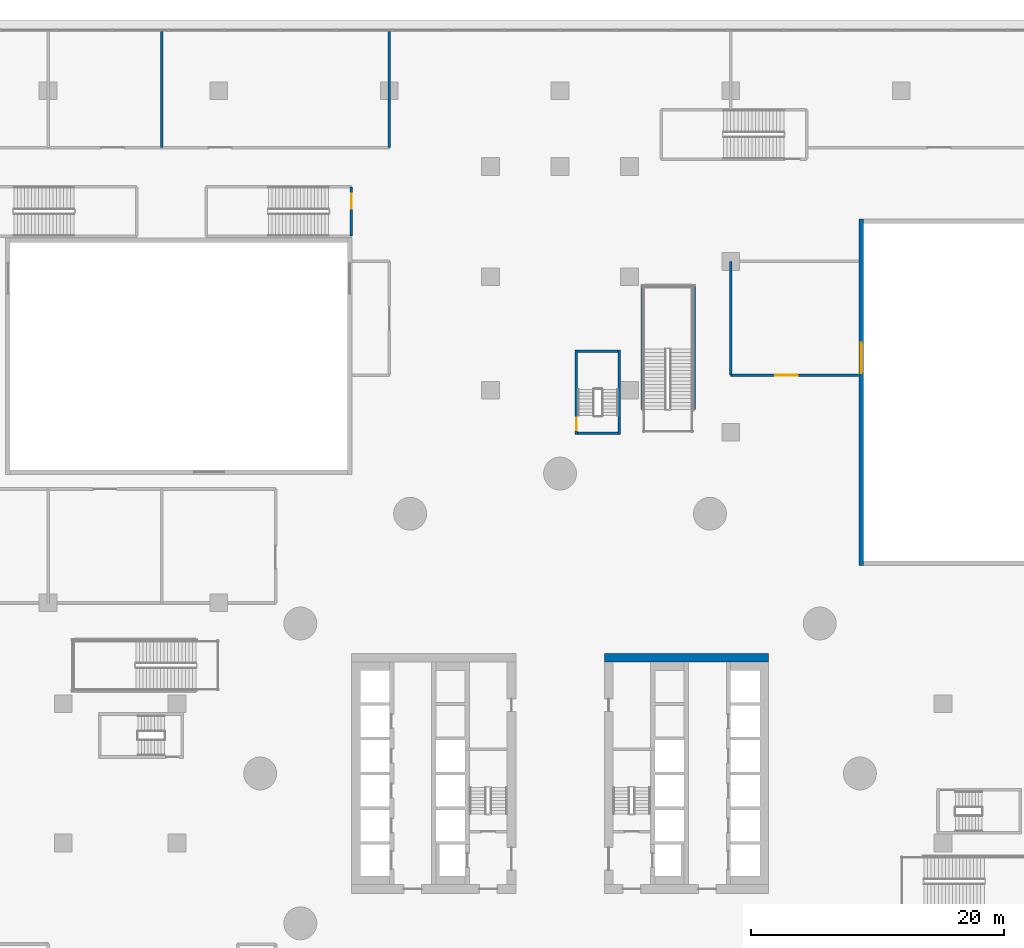
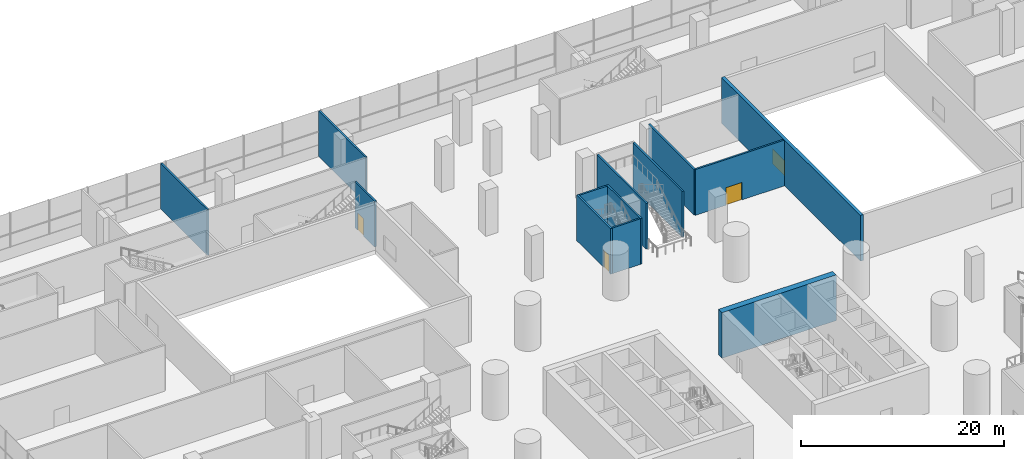
# One storey, part 33 of 52: 13 walls, 3 doors, 1 window, 4 openings.
"""IFC4 building model written with IfcOpenShell, lengths in metres."""

from ifc_helpers import new_model, si_unit, direction, frame, frame_2d, origin, place, context, subcontext, project, spatial, polyline, rectangle, outline, extrude, material, layer, layer_set, type_object, element, fill, save


model = new_model("IFC4")

# Units and contexts
model_context = context("Model", 3, precision=1e-05, world=origin(), true_north=direction((0.0, 1.0)))
body_context = subcontext(model_context, "Body", "Model", "MODEL_VIEW")
ifc_project = project(units=[si_unit("LENGTHUNIT", "METRE"), si_unit("AREAUNIT", "SQUARE_METRE"), si_unit("VOLUMEUNIT", "CUBIC_METRE"), si_unit("PLANEANGLEUNIT", "RADIAN"), si_unit("MASSUNIT", "GRAM", prefix="KILO")], contexts=[model_context])

# Site, building, storey
site_placement = place(None, origin())
site = spatial("IfcSite", under=ifc_project, at=site_placement, CompositionType="ELEMENT")
building_placement = place(site_placement, origin())
building = spatial("IfcBuilding", under=site, at=building_placement, Name="Tamarind Cross Interchange Tower", CompositionType="ELEMENT")
storey_placement = place(building_placement, frame((0.0, 0.0, 9.0)))
storey = spatial("IfcBuildingStorey", under=building, at=storey_placement, Name="L01", CompositionType="ELEMENT", Elevation=9.0)

# Walls
ifc_material_1 = material(Name="Concrete C80", Category="concrete")
ifc_layer_1 = layer(ifc_material_1, 0.699951171875)
ifc_layer_set_1 = layer_set([ifc_layer_1], Name="Concrete C80")
wall_type_1 = type_object("IfcWallType", Name="Core wall 700 mm Concrete C80", PredefinedType="SHEAR", material=ifc_layer_set_1)
wall_1_placement = place(storey_placement, frame((16.5, 9.14990234375, 0.0), z_axis=(0.0, 0.0, 1.0), x_axis=(-1.0, 0.0, 0.0)))
element("IfcWall", 1, at=wall_1_placement, inside=storey, type_object=wall_type_1, Name="Core wall CWL-L01-E-NE", PredefinedType="SHEAR", context=body_context, shape_type="SweptSolid", body=[
    extrude(rectangle(XDim=13.0, YDim=0.699951171875, at=frame_2d((6.5, 0.0))), origin(), (0.0, 0.0, 1.0), 5.5),
])
ifc_material_2 = material(Name="Masonry partition, fire-rated", Category="masonry")
ifc_layer_2 = layer(ifc_material_2, 0.199951171875)
ifc_layer_set_2 = layer_set([ifc_layer_2], Name="Masonry partition, fire-rated")
wall_type_2 = type_object("IfcWallType", Name="Fire partition 200 EI 120", PredefinedType="PARTITIONING", material=ifc_layer_set_2)
for number, where, z_axis, x_axis, name in (
    (2, (-13.5, 49.5, 0.0), (0.0, 0.0, 1.0), (0.0, 1.0, 0.0), "L01 partition 76"),
    (3, (-31.5, 49.5, 0.0), (0.0, 0.0, 1.0), (0.0, 1.0, 0.0), "L01 partition 77"),
):
    element("IfcWall", number, at=place(storey_placement, frame(where, z_axis=z_axis, x_axis=x_axis)), inside=storey, type_object=wall_type_2, Name=name, PredefinedType="PARTITIONING", context=body_context, shape_type="SweptSolid", body=[
        extrude(rectangle(XDim=9.198974609375, YDim=0.199951171875, at=frame_2d((4.599609375, 0.0))), origin(), (0.0, 0.0, 1.0), 5.5),
    ])

# Wall, opening, door
wall_2_placement = place(storey_placement, frame((13.5, 31.5, 0.0), z_axis=(0.0, 0.0, 1.0), x_axis=(1.0, 0.0, 0.0)))
wall_2 = element("IfcWall", 4, at=wall_2_placement, inside=storey, type_object=wall_type_2, Name="L01 partition 95", PredefinedType="PARTITIONING", context=body_context, shape_type="SweptSolid", body=[
    extrude(rectangle(XDim=10.1201171875, YDim=0.199951171875, at=frame_2d((5.06005859375, 0.0))), origin(), (0.0, 0.0, 1.0), 5.5),
])
opening_1_placement = place(wall_2_placement, frame((3.512939453125, 0.0, 0.0)))
opening_1 = element("IfcOpeningElement", 5, at=opening_1_placement, cuts=wall_2, Name="Opening DL01-18", PredefinedType="OPENING", context=body_context, shape_type="SweptSolid", body=[
    extrude(rectangle(XDim=1.800048828125, YDim=2.10009765625, at=frame_2d((0.89990234375, 1.050048828125))), frame((0.0, 0.10986328125, 0.0), z_axis=(0.0, -1.0, 0.0), x_axis=(1.0, 0.0, 0.0)), (0.0, 0.0, 1.0), 0.219970703125),
])
ifc_material_3 = material(Name="Steel, fire-resisting", Category="steel")
door_type_1 = type_object("IfcDoorType", Name="Podium door 1800 x 2100 FD60", OperationType="SINGLE_SWING_LEFT", PredefinedType="DOOR", material=ifc_material_3)
door_1_placement = place(opening_1_placement, origin())
door_1 = element("IfcDoor", 6, at=door_1_placement, inside=storey, type_object=door_type_1, Name="L01 door Coffee Bar 0103", OperationType="SINGLE_SWING_RIGHT", OverallHeight=2.10009765625, OverallWidth=1.800048828125, PredefinedType="DOOR", context=body_context, shape_type="SweptSolid", body=[
    extrude(rectangle(XDim=1.800048828125, YDim=2.10009765625, at=frame_2d((0.89990234375, 1.050048828125))), frame((0.0, 0.02490234375, 0.0), z_axis=(0.0, -1.0, 0.0), x_axis=(1.0, 0.0, 0.0)), (0.0, 0.0, 1.0), 0.050048828125),
])
fill(opening_1, door_1)

# Wall
wall_3_placement = place(storey_placement, frame((13.5, 31.5, 0.0), z_axis=(0.0, 0.0, 1.0), x_axis=(0.0, 1.0, 0.0)))
element("IfcWall", 7, at=wall_3_placement, inside=storey, type_object=wall_type_2, Name="L01 partition 96", PredefinedType="PARTITIONING", context=body_context, shape_type="SweptSolid", body=[
    extrude(rectangle(XDim=9.0, YDim=0.199951171875, at=frame_2d((4.5, 0.0))), origin(), (0.0, 0.0, 1.0), 5.5),
])

# Wall, opening, window
ifc_material_4 = material(Name="Precast concrete C40", Category="concrete")
ifc_layer_3 = layer(ifc_material_4, 0.35009765625)
ifc_layer_set_3 = layer_set([ifc_layer_3], Name="Precast concrete C40")
wall_type_3 = type_object("IfcWallType", Name="Podium facade wall", PredefinedType="SOLIDWALL", material=ifc_layer_set_3)
wall_4_placement = place(storey_placement, frame((23.824951171875, 16.449951171875, 0.0), z_axis=(0.0, 0.0, 1.0), x_axis=(0.0, 1.0, 0.0)))
wall_4 = element("IfcWall", 8, at=wall_4_placement, inside=storey, type_object=wall_type_3, Name="CTW-L01-NEW00", PredefinedType="SOLIDWALL", context=body_context, shape_type="SweptSolid", body=[
    extrude(rectangle(XDim=27.400146484375, YDim=0.35009765625, at=frame_2d((13.7001953125, 0.0))), origin(), (0.0, 0.0, 1.0), 5.5),
])
opening_2_placement = place(wall_4_placement, frame((15.199951171875, 0.0, 1.0)))
opening_2 = element("IfcOpeningElement", 9, at=opening_2_placement, cuts=wall_4, Name="Opening W4", PredefinedType="OPENING", context=body_context, shape_type="SweptSolid", body=[
    extrude(rectangle(XDim=2.39990234375, YDim=1.800048828125, at=frame_2d((1.199951171875, 0.89990234375))), frame((0.0, 0.18505859375, 0.0), z_axis=(0.0, -1.0, 0.0), x_axis=(1.0, 0.0, 0.0)), (0.0, 0.0, 1.0), 0.3701171875),
])
ifc_material_5 = material(Name="Aluminium and toughened glass", Category="aluminium")
window_type = type_object("IfcWindowType", Name="Podium daylight window", PartitioningType="SINGLE_PANEL", PredefinedType="WINDOW", material=ifc_material_5)
window_placement = place(opening_2_placement, origin())
window = element("IfcWindow", 10, at=window_placement, inside=storey, type_object=window_type, Name="CTX-L01-NEW-01-00", OverallHeight=1.800048828125, OverallWidth=2.39990234375, PartitioningType="SINGLE_PANEL", PredefinedType="WINDOW", context=body_context, shape_type="SweptSolid", body=[
    extrude(rectangle(XDim=2.39990234375, YDim=1.800048828125, at=frame_2d((1.199951171875, 0.89990234375))), frame((0.0, 0.030029296875, 0.0), z_axis=(0.0, -1.0, 0.0), x_axis=(1.0, 0.0, 0.0)), (0.0, 0.0, 1.0), 0.06005859375),
])
fill(opening_2, window)

# Walls
ifc_material_6 = material(Name="Concrete C40", Category="concrete")
ifc_layer_4 = layer(ifc_material_6, 0.199951171875)
ifc_layer_set_4 = layer_set([ifc_layer_4], Name="Concrete C40")
wall_type_4 = type_object("IfcWallType", Name="Stair shaft wall 200", PredefinedType="SOLIDWALL", material=ifc_layer_set_4)
for number, where, z_axis, x_axis, name in (
    (11, (10.60009765625, 28.800048828125, 0.0), (0.0, 0.0, 1.0), (0.0, 1.0, 0.0), "public stair PS-N shaft wall L"),
    (12, (6.5, 28.800048828125, 0.0), (0.0, 0.0, 1.0), (0.0, 1.0, 0.0), "public stair PS-N shaft wall R"),
):
    element("IfcWall", number, at=place(storey_placement, frame(where, z_axis=z_axis, x_axis=x_axis)), inside=storey, type_object=wall_type_4, Name=name, PredefinedType="SOLIDWALL", context=body_context, shape_type="SweptSolid", body=[
        extrude(rectangle(XDim=9.699951171875, YDim=0.199951171875, at=frame_2d((4.85009765625, 0.0))), origin(), (0.0, 0.0, 1.0), 5.5),
    ])

# Wall, opening, door
ifc_layer_5 = layer(ifc_material_6, 0.199951171875)
ifc_layer_set_5 = layer_set([ifc_layer_5], Name="Concrete C40")
wall_type_5 = type_object("IfcWallType", Name="Stair shaft wall 200 EI 180", PredefinedType="PARTITIONING", material=ifc_layer_set_5)
wall_5_placement = place(storey_placement, frame((-16.5, 42.5, 0.0), z_axis=(0.0, 0.0, 1.0), x_axis=(0.0, 1.0, 0.0)))
wall_5 = element("IfcWall", 13, at=wall_5_placement, inside=storey, type_object=wall_type_5, Name="L01 stair shaft wall 24", PredefinedType="PARTITIONING", context=body_context, shape_type="SweptSolid", body=[
    extrude(rectangle(XDim=3.89990234375, YDim=0.199951171875, at=frame_2d((1.949951171875, 0.0))), origin(), (0.0, 0.0, 1.0), 5.5),
])
opening_3_placement = place(wall_5_placement, frame((2.14990234375, 0.0, 0.0)))
opening_3 = element("IfcOpeningElement", 14, at=opening_3_placement, cuts=wall_5, Name="Opening DL01-06", PredefinedType="OPENING", context=body_context, shape_type="SweptSolid", body=[
    extrude(rectangle(XDim=1.199951171875, YDim=2.10009765625, at=frame_2d((0.60009765625, 1.050048828125))), frame((0.0, 0.10986328125, 0.0), z_axis=(0.0, -1.0, 0.0), x_axis=(1.0, 0.0, 0.0)), (0.0, 0.0, 1.0), 0.219970703125),
])
door_type_2 = type_object("IfcDoorType", Name="Podium door 1200 x 2100 FD90", OperationType="SINGLE_SWING_LEFT", PredefinedType="DOOR", material=ifc_material_3)
door_2_placement = place(opening_3_placement, origin())
door_2 = element("IfcDoor", 15, at=door_2_placement, inside=storey, type_object=door_type_2, Name="L01 door Exit Stair PX6", OperationType="SINGLE_SWING_RIGHT", OverallHeight=2.10009765625, OverallWidth=1.199951171875, PredefinedType="DOOR", context=body_context, shape_type="SweptSolid", body=[
    extrude(rectangle(XDim=1.199951171875, YDim=2.10009765625, at=frame_2d((0.60009765625, 1.050048828125))), frame((0.0, 0.02490234375, 0.0), z_axis=(0.0, -1.0, 0.0), x_axis=(1.0, 0.0, 0.0)), (0.0, 0.0, 1.0), 0.050048828125),
])
fill(opening_3, door_2)

ifc_layer_6 = layer(ifc_material_6, 0.199951171875)
ifc_layer_set_6 = layer_set([ifc_layer_6], Name="Concrete C40")
wall_type_6 = type_object("IfcWallType", Name="Stair shaft wall 200 mm Concrete C40", PredefinedType="SHEAR", material=ifc_layer_set_6)
wall_6_placement = place(storey_placement, frame((1.300048828125, 26.800048828125, 0.0), z_axis=(0.0, 0.0, 1.0), x_axis=(0.0, 1.0, 0.0)))
wall_6 = element("IfcWall", 16, at=wall_6_placement, inside=storey, type_object=wall_type_6, Name="Core wall CWL-L01-ST4-H", PredefinedType="SHEAR", context=body_context, shape_type="SweptSolid", body=[
    extrude(rectangle(XDim=6.699951171875, YDim=0.199951171875, at=frame_2d((3.35009765625, 0.0))), origin(), (0.0, 0.0, 1.0), 5.5),
])
opening_4_placement = place(wall_6_placement, frame((0.35009765625, 0.0, 0.0)))
opening_4 = element("IfcOpeningElement", 17, at=opening_4_placement, cuts=wall_6, Name="Opening ST4L01", PredefinedType="OPENING", context=body_context, shape_type="SweptSolid", body=[
    extrude(rectangle(XDim=1.0, YDim=2.10009765625, at=frame_2d((0.5, 1.050048828125))), frame((0.0, 0.10986328125, 0.0), z_axis=(0.0, -1.0, 0.0), x_axis=(1.0, 0.0, 0.0)), (0.0, 0.0, 1.0), 0.219970703125),
])
door_type_3 = type_object("IfcDoorType", Name="Core fire door 1000 x 2100 FD90", OperationType="SINGLE_SWING_LEFT", PredefinedType="DOOR", material=ifc_material_3)
door_3_placement = place(opening_4_placement, origin())
door_3 = element("IfcDoor", 18, at=door_3_placement, inside=storey, type_object=door_type_3, Name="L01 stair door ST4", OperationType="SINGLE_SWING_LEFT", OverallHeight=2.10009765625, OverallWidth=1.0, PredefinedType="DOOR", context=body_context, shape_type="SweptSolid", body=[
    extrude(rectangle(XDim=1.0, YDim=2.10009765625, at=frame_2d((0.5, 1.050048828125))), frame((0.0, 0.02490234375, 0.0), z_axis=(0.0, -1.0, 0.0), x_axis=(1.0, 0.0, 0.0)), (0.0, 0.0, 1.0), 0.050048828125),
])
fill(opening_4, door_3)

# Walls
wall_7_placement = place(storey_placement, frame((4.699951171875, 26.800048828125, 0.0), z_axis=(0.0, 0.0, 1.0), x_axis=(0.0, 1.0, 0.0)))
element("IfcWall", 19, at=wall_7_placement, inside=storey, type_object=wall_type_6, Name="Core wall CWL-L01-ST4-C", PredefinedType="SHEAR", context=body_context, shape_type="SweptSolid", body=[
    extrude(rectangle(XDim=6.699951171875, YDim=0.199951171875, at=frame_2d((3.35009765625, 0.0))), origin(), (0.0, 0.0, 1.0), 5.5),
])
wall_8_placement = place(storey_placement, frame((4.60009765625, 26.89990234375, 0.0), z_axis=(0.0, 0.0, 1.0), x_axis=(-1.0, 0.0, 0.0)))
element("IfcWall", 20, at=wall_8_placement, inside=storey, type_object=wall_type_6, Name="Core wall CWL-L01-ST4-CE", PredefinedType="SHEAR", context=body_context, shape_type="SweptSolid", body=[
    extrude(rectangle(XDim=3.2001953125, YDim=0.199951171875, at=frame_2d((1.60009765625, 0.0))), origin(), (0.0, 0.0, 1.0), 5.5),
])
wall_9_placement = place(storey_placement, origin())
element("IfcWall", 21, at=wall_9_placement, inside=storey, type_object=wall_type_6, Name="Core wall CWL-L01-ST4-CF", PredefinedType="SHEAR", context=body_context, shape_type="SweptSolid", body=[
    extrude(outline(polyline([(4.60009765625, 33.300048828125), (4.60009765625, 33.5), (1.39990234375, 33.5), (1.39990234375, 33.300048828125), (4.60009765625, 33.300048828125)])), origin(), (0.0, 0.0, 1.0), 5.5),
])

save(model, "model.ifc")
